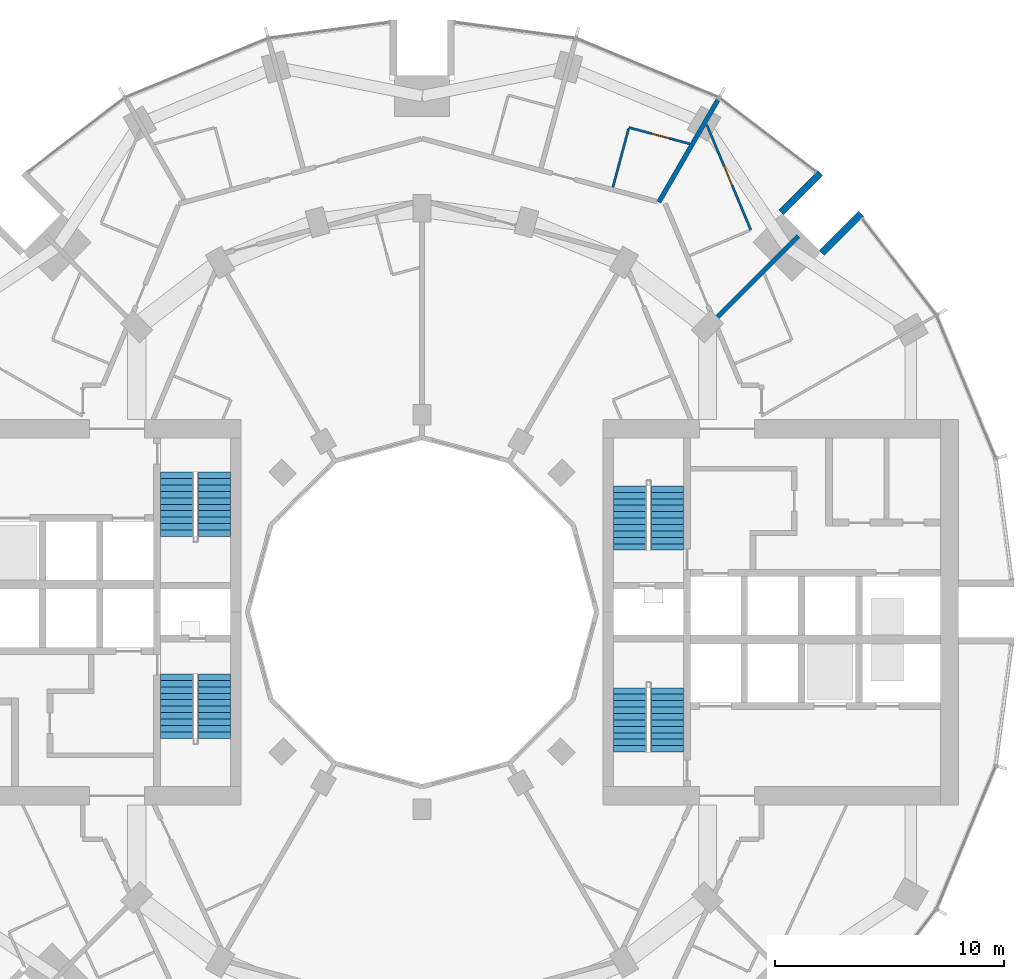
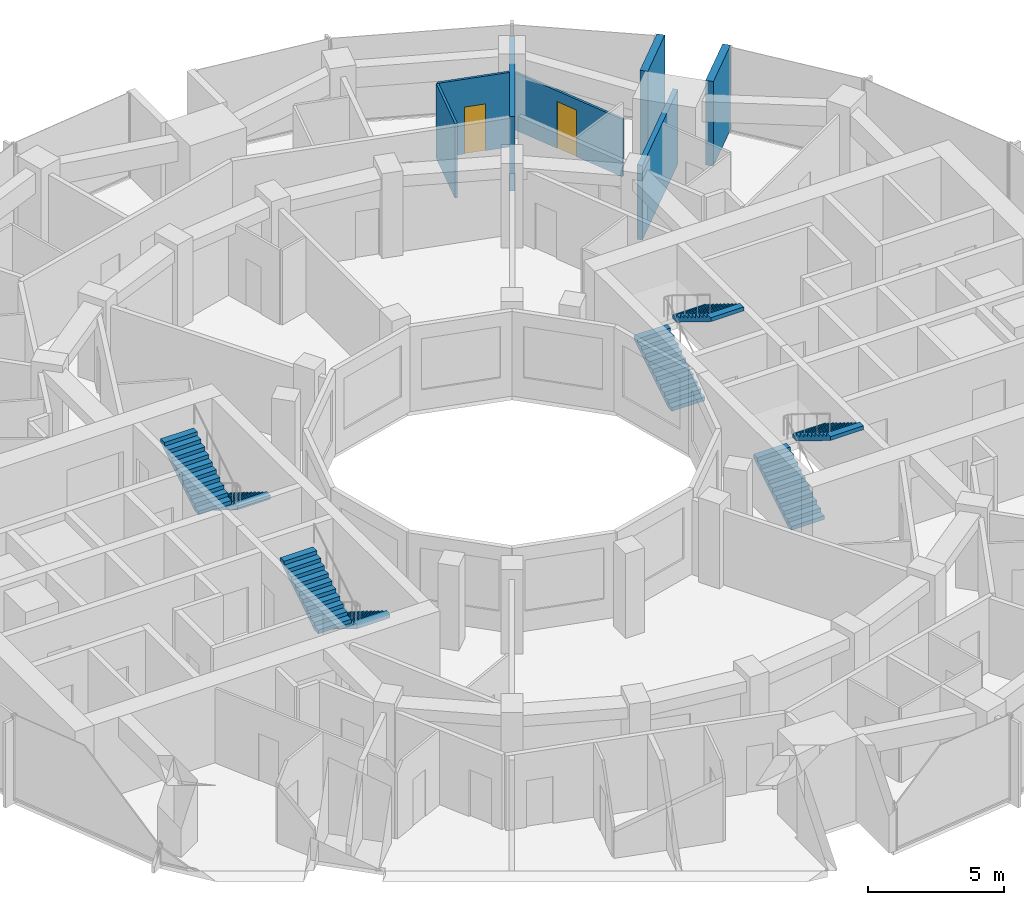
# One storey, part 13 of 15: 8 stair flights, 7 walls, 2 doors, 2 openings, 4 elements without a shape of their own.
"""IFC4 building model written with IfcOpenShell, lengths in metres."""

from ifc_helpers import new_model, si_unit, direction, frame, frame_2d, origin, place, context, subcontext, project, spatial, polyline, rectangle, outline, extrude, material, layer, layer_set, type_object, element, fill, aggregate, save


model = new_model("IFC4")

# Units and contexts
model_context = context("Model", 3, precision=1e-05, world=origin(), true_north=direction((0.0, 1.0)))
body_context = subcontext(model_context, "Body", "Model", "MODEL_VIEW")
ifc_project = project(units=[si_unit("LENGTHUNIT", "METRE"), si_unit("AREAUNIT", "SQUARE_METRE"), si_unit("VOLUMEUNIT", "CUBIC_METRE"), si_unit("PLANEANGLEUNIT", "RADIAN"), si_unit("MASSUNIT", "GRAM", prefix="KILO")], contexts=[model_context])

# Site, building, storey
site_placement = place(None, origin())
site = spatial("IfcSite", under=ifc_project, at=site_placement, CompositionType="ELEMENT")
building_placement = place(site_placement, origin())
building = spatial("IfcBuilding", under=site, at=building_placement, Name="Torre Brocal", CompositionType="ELEMENT")
storey_placement = place(building_placement, frame((0.0, 0.0, 82.39990234375)))
storey = spatial("IfcBuildingStorey", under=building, at=storey_placement, Name="L18", CompositionType="ELEMENT", Elevation=82.39990234375)

# Walls
ifc_material_1 = material(Name="Concrete C80", Category="concrete")
ifc_layer_1 = layer(ifc_material_1, 0.300048828125)
ifc_layer_set_1 = layer_set([ifc_layer_1], Name="Concrete C80")
wall_type_1 = type_object("IfcWallType", Name="NOTCH RETURN WALL 300 C80", PredefinedType="NOTDEFINED", material=ifc_layer_set_1)
for number, where, z_axis, x_axis, name in (
    (1, (97.43017578125, 90.662353515625, 0.0), (0.0, 0.0, 1.0), (0.707106781187, 0.707106781187, 0.0), "NOTCH RETURN WALL"),
    (2, (95.662353515625, 92.43017578125, 0.0), (0.0, 0.0, 1.0), (0.707106781187, 0.707106781187, 0.0), "NOTCH RETURN WALL"),
):
    element("IfcWall", number, at=place(storey_placement, frame(where, z_axis=z_axis, x_axis=x_axis)), inside=storey, type_object=wall_type_1, Name=name, PredefinedType="NOTDEFINED", context=body_context, shape_type="SweptSolid", body=[
        extrude(rectangle(XDim=2.415771484375, YDim=0.300048828125, at=frame_2d((1.2080078125, 0.0))), origin(), (0.0, 0.0, 1.0), 3.800048828125),
    ])
ifc_material_2 = material(Name="Gypsum board", Category="Gypsum")
ifc_layer_2 = layer(ifc_material_2, 0.10009765625)
ifc_layer_set_2 = layer_set([ifc_layer_2], Name="Gypsum board")
wall_type_2 = type_object("IfcWallType", Name="PARTITION 100", PredefinedType="PARTITIONING", material=ifc_layer_set_2)
wall_1_placement = place(storey_placement, frame((88.32080078125, 93.5205078125, 0.0), z_axis=(0.0, 0.0, 1.0), x_axis=(0.258677737588, 0.965963678446, 0.0)))
element("IfcWall", 3, at=wall_1_placement, inside=storey, type_object=wall_type_2, Name="BATHROOM WALL", PredefinedType="PARTITIONING", context=body_context, shape_type="SweptSolid", body=[
    extrude(rectangle(XDim=2.649169921875, YDim=0.10009765625, at=frame_2d((1.32470703125, 0.0))), origin(), (0.0, 0.0, 1.0), 3.35009765625),
])

# Wall, opening, door
wall_2_placement = place(storey_placement, frame((89.018798828125, 96.12744140625, 0.0), z_axis=(0.0, 0.0, 1.0), x_axis=(0.965839030583, -0.259142754101, 0.0)))
wall_2 = element("IfcWall", 4, at=wall_2_placement, inside=storey, type_object=wall_type_2, Name="BATHROOM WALL", PredefinedType="PARTITIONING", context=body_context, shape_type="SweptSolid", body=[
    extrude(rectangle(XDim=2.740478515625, YDim=0.10009765625, at=frame_2d((1.3701171875, 0.0))), origin(), (0.0, 0.0, 1.0), 3.35009765625),
])
opening_1_placement = place(wall_2_placement, frame((1.025634765625, 0.0, 0.0)))
opening_1 = element("IfcOpeningElement", 5, at=opening_1_placement, cuts=wall_2, Name="Opening H05-D07", PredefinedType="OPENING", context=body_context, shape_type="SweptSolid", body=[
    extrude(rectangle(XDim=0.800048828125, YDim=2.10009765625, at=frame_2d((0.39990234375, 1.050048828125))), frame((0.0, 0.06005859375, 0.0), z_axis=(0.0, -1.0, 0.0), x_axis=(1.0, 0.0, 0.0)), (0.0, 0.0, 1.0), 0.1201171875),
])
ifc_material_3 = material(Name="Timber", Category="wood")
door_type_1 = type_object("IfcDoorType", Name="BATHROOM DOOR 800X2100", OperationType="SINGLE_SWING_LEFT", PredefinedType="DOOR", material=ifc_material_3)
door_1_placement = place(opening_1_placement, frame((0.800048828125, 0.0, 0.0), z_axis=(0.0, 0.0, 1.0), x_axis=(-1.0, 0.0, 0.0)))
door_1 = element("IfcDoor", 6, at=door_1_placement, inside=storey, type_object=door_type_1, Name="H05-D07", OperationType="SINGLE_SWING_LEFT", OverallHeight=2.10009765625, OverallWidth=0.800048828125, PredefinedType="DOOR", context=body_context, shape_type="SweptSolid", body=[
    extrude(rectangle(XDim=0.800048828125, YDim=2.10009765625, at=frame_2d((0.39990234375, 1.050048828125))), frame((0.0, 0.02490234375, 0.0), z_axis=(0.0, -1.0, 0.0), x_axis=(1.0, 0.0, 0.0)), (0.0, 0.0, 1.0), 0.050048828125),
])
fill(opening_1, door_1)

ifc_material_4 = material(Name="Gypsum board", Category="Gypsum")
ifc_layer_3 = layer(ifc_material_4, 0.10009765625)
ifc_layer_set_3 = layer_set([ifc_layer_3], Name="Gypsum board")
wall_type_3 = type_object("IfcWallType", Name="PARTITION 100 UNDER BEAM 1220", PredefinedType="PARTITIONING", material=ifc_layer_set_3)
wall_3_placement = place(storey_placement, frame((92.4140625, 96.24609375, 0.0), z_axis=(0.0, 0.0, 1.0), x_axis=(0.386353683992, -0.922350709256, 0.0)))
wall_3 = element("IfcWall", 7, at=wall_3_placement, inside=storey, type_object=wall_type_3, Name="BATHROOM WALL", PredefinedType="PARTITIONING", context=body_context, shape_type="SweptSolid", body=[
    extrude(rectangle(XDim=4.974365234375, YDim=0.10009765625, at=frame_2d((2.4873046875, 0.0))), origin(), (0.0, 0.0, 1.0), 2.580078125),
])
opening_2_placement = place(wall_3_placement, frame((1.95703125, 0.0, 0.0)))
opening_2 = element("IfcOpeningElement", 8, at=opening_2_placement, cuts=wall_3, Name="Opening H05-D05", PredefinedType="OPENING", context=body_context, shape_type="SweptSolid", body=[
    extrude(rectangle(XDim=0.89990234375, YDim=2.10009765625, at=frame_2d((0.449951171875, 1.050048828125))), frame((0.0, 0.06005859375, 0.0), z_axis=(0.0, -1.0, 0.0), x_axis=(1.0, 0.0, 0.0)), (0.0, 0.0, 1.0), 0.1201171875),
])
ifc_material_5 = material(Name="Timber", Category="wood")
door_type_2 = type_object("IfcDoorType", Name="ACCESSIBLE BATHROOM DOOR 900X2100", OperationType="SINGLE_SWING_LEFT", PredefinedType="DOOR", material=ifc_material_5)
door_2_placement = place(opening_2_placement, frame((0.89990234375, 0.0, 0.0), z_axis=(0.0, 0.0, 1.0), x_axis=(-1.0, 0.0, 0.0)))
door_2 = element("IfcDoor", 9, at=door_2_placement, inside=storey, type_object=door_type_2, Name="H05-D05", OperationType="SINGLE_SWING_RIGHT", OverallHeight=2.10009765625, OverallWidth=0.89990234375, PredefinedType="DOOR", context=body_context, shape_type="SweptSolid", body=[
    extrude(rectangle(XDim=0.89990234375, YDim=2.10009765625, at=frame_2d((0.449951171875, 1.050048828125))), frame((0.0, 0.02490234375, 0.0), z_axis=(0.0, -1.0, 0.0), x_axis=(1.0, 0.0, 0.0)), (0.0, 0.0, 1.0), 0.050048828125),
])
fill(opening_2, door_2)

# Walls
ifc_material_6 = material(Name="Gypsum board", Category="Gypsum")
ifc_layer_4 = layer(ifc_material_6, 0.199951171875)
ifc_layer_set_4 = layer_set([ifc_layer_4], Name="Gypsum board")
wall_type_4 = type_object("IfcWallType", Name="PARTITION 200 EI60", PredefinedType="PARTITIONING", material=ifc_layer_set_4)
wall_4_placement = place(storey_placement, frame((90.32666015625, 92.8779296875, 0.0), z_axis=(0.0, 0.0, 1.0), x_axis=(0.50022153717, 0.865897461453, 0.0)))
element("IfcWall", 10, at=wall_4_placement, inside=storey, type_object=wall_type_4, Name="BATHROOM WALL", PredefinedType="PARTITIONING", context=body_context, shape_type="SweptSolid", body=[
    extrude(rectangle(XDim=5.151611328125, YDim=0.199951171875, at=frame_2d((2.57568359375, 0.0))), origin(), (0.0, 0.0, 1.0), 3.35009765625),
])
wall_5_placement = place(storey_placement, frame((92.831787109375, 87.824462890625, 0.0), z_axis=(0.0, 0.0, 1.0), x_axis=(0.707251566381, 0.70696196634, 0.0)))
element("IfcWall", 11, at=wall_5_placement, inside=storey, type_object=wall_type_4, Name="BATHROOM WALL", PredefinedType="PARTITIONING", context=body_context, shape_type="SweptSolid", body=[
    extrude(rectangle(XDim=5.05810546875, YDim=0.199951171875, at=frame_2d((2.529052734375, 0.0))), origin(), (0.0, 0.0, 1.0), 3.35009765625),
])

# Stair, stair flights
ifc_material_7 = material(Name="Concrete C50", Category="concrete")
stair_type = type_object("IfcStairType", Name="EXIT STAIR", PredefinedType="HALF_TURN_STAIR", material=ifc_material_7)
stair_1_placement = place(storey_placement, origin())
stair_1 = element("IfcStair", 12, at=stair_1_placement, inside=storey, type_object=stair_type, Name="EXIT STAIR ST1", PredefinedType="HALF_TURN_STAIR")
ifc_material_8 = material(Name="Concrete C50", Category="concrete")
ifc_layer_5 = layer(ifc_material_8, 0.14990234375)
ifc_layer_set_5 = layer_set([ifc_layer_5], Name="Concrete C50")
stair_flight_type = type_object("IfcStairFlightType", Name="STAIR FLIGHT", PredefinedType="STRAIGHT", material=ifc_layer_set_5)
stair_flight_1_placement = place(storey_placement, frame((89.050048828125, 77.699951171875, 0.0), z_axis=(0.0, 0.0, 1.0), x_axis=(0.0, 1.0, 0.0)))
stair_flight_1 = element("IfcStairFlight", 13, at=stair_flight_1_placement, type_object=stair_flight_type, Name="ST1 flight 1", NumberOfRisers=11, NumberOfTreads=10, PredefinedType="STRAIGHT", RiserHeight=0.172727273, TreadLength=0.28, context=body_context, shape_type="SweptSolid", body=[
    extrude(outline(polyline([(0.0, 0.0), (0.0, 0.172607421875), (0.280029296875, 0.172607421875), (0.280029296875, 0.345458984375), (0.56005859375, 0.345458984375), (0.56005859375, 0.51806640625), (0.840087890625, 0.51806640625), (0.840087890625, 0.69091796875), (1.1201171875, 0.69091796875), (1.1201171875, 0.863525390625), (1.39990234375, 0.863525390625), (1.39990234375, 1.036376953125), (1.679931640625, 1.036376953125), (1.679931640625, 1.208984375), (1.9599609375, 1.208984375), (1.9599609375, 1.3818359375), (2.239990234375, 1.3818359375), (2.239990234375, 1.554443359375), (2.52001953125, 1.554443359375), (2.52001953125, 1.727294921875), (2.800048828125, 1.727294921875), (2.800048828125, 1.89990234375), (2.800048828125, 1.551025390625), (0.285400390625, 0.0), (0.0, 0.0)])), frame((0.0, 0.699951171875, 0.0), z_axis=(0.0, -1.0, 0.0), x_axis=(1.0, 0.0, 0.0)), (0.0, 0.0, 1.0), 1.39990234375),
])
stair_flight_2_placement = place(storey_placement, frame((90.699951171875, 80.5, 1.900146484375), z_axis=(0.0, 0.0, 1.0), x_axis=(0.0, -1.0, 0.0)))
stair_flight_2 = element("IfcStairFlight", 14, at=stair_flight_2_placement, type_object=stair_flight_type, Name="ST1 flight 2", NumberOfRisers=11, NumberOfTreads=10, PredefinedType="STRAIGHT", RiserHeight=0.172727273, TreadLength=0.28, context=body_context, shape_type="SweptSolid", body=[
    extrude(outline(polyline([(0.0, 0.0), (0.0, 0.172607421875), (0.280029296875, 0.172607421875), (0.280029296875, 0.345458984375), (0.56005859375, 0.345458984375), (0.56005859375, 0.51806640625), (0.840087890625, 0.51806640625), (0.840087890625, 0.69091796875), (1.1201171875, 0.69091796875), (1.1201171875, 0.863525390625), (1.39990234375, 0.863525390625), (1.39990234375, 1.036376953125), (1.679931640625, 1.036376953125), (1.679931640625, 1.208984375), (1.9599609375, 1.208984375), (1.9599609375, 1.3818359375), (2.239990234375, 1.3818359375), (2.239990234375, 1.554443359375), (2.52001953125, 1.554443359375), (2.52001953125, 1.727294921875), (2.800048828125, 1.727294921875), (2.800048828125, 1.89990234375), (2.800048828125, 1.551025390625), (0.285400390625, 0.0), (0.0, 0.0)])), frame((0.0, 0.699951171875, 0.0), z_axis=(0.0, -1.0, 0.0), x_axis=(1.0, 0.0, 0.0)), (0.0, 0.0, 1.0), 1.39990234375),
])
aggregate(stair_1, [stair_flight_1, stair_flight_2])

stair_2_placement = place(storey_placement, origin())
stair_2 = element("IfcStair", 15, at=stair_2_placement, inside=storey, type_object=stair_type, Name="EXIT STAIR ST2", PredefinedType="HALF_TURN_STAIR")
stair_flight_3_placement = place(storey_placement, frame((89.050048828125, 68.89990234375, 0.0), z_axis=(0.0, 0.0, 1.0), x_axis=(0.0, 1.0, 0.0)))
stair_flight_3 = element("IfcStairFlight", 16, at=stair_flight_3_placement, type_object=stair_flight_type, Name="ST2 flight 1", NumberOfRisers=11, NumberOfTreads=10, PredefinedType="STRAIGHT", RiserHeight=0.172727273, TreadLength=0.28, context=body_context, shape_type="SweptSolid", body=[
    extrude(outline(polyline([(0.0, 0.0), (0.0, 0.172607421875), (0.280029296875, 0.172607421875), (0.280029296875, 0.345458984375), (0.56005859375, 0.345458984375), (0.56005859375, 0.51806640625), (0.840087890625, 0.51806640625), (0.840087890625, 0.69091796875), (1.1201171875, 0.69091796875), (1.1201171875, 0.863525390625), (1.39990234375, 0.863525390625), (1.39990234375, 1.036376953125), (1.679931640625, 1.036376953125), (1.679931640625, 1.208984375), (1.9599609375, 1.208984375), (1.9599609375, 1.3818359375), (2.239990234375, 1.3818359375), (2.239990234375, 1.554443359375), (2.52001953125, 1.554443359375), (2.52001953125, 1.727294921875), (2.800048828125, 1.727294921875), (2.800048828125, 1.89990234375), (2.800048828125, 1.551025390625), (0.285400390625, 0.0), (0.0, 0.0)])), frame((0.0, 0.699951171875, 0.0), z_axis=(0.0, -1.0, 0.0), x_axis=(1.0, 0.0, 0.0)), (0.0, 0.0, 1.0), 1.39990234375),
])
stair_flight_4_placement = place(storey_placement, frame((90.699951171875, 71.699951171875, 1.900146484375), z_axis=(0.0, 0.0, 1.0), x_axis=(0.0, -1.0, 0.0)))
stair_flight_4 = element("IfcStairFlight", 17, at=stair_flight_4_placement, type_object=stair_flight_type, Name="ST2 flight 2", NumberOfRisers=11, NumberOfTreads=10, PredefinedType="STRAIGHT", RiserHeight=0.172727273, TreadLength=0.28, context=body_context, shape_type="SweptSolid", body=[
    extrude(outline(polyline([(0.0, 0.0), (0.0, 0.172607421875), (0.280029296875, 0.172607421875), (0.280029296875, 0.345458984375), (0.56005859375, 0.345458984375), (0.56005859375, 0.51806640625), (0.840087890625, 0.51806640625), (0.840087890625, 0.69091796875), (1.1201171875, 0.69091796875), (1.1201171875, 0.863525390625), (1.39990234375, 0.863525390625), (1.39990234375, 1.036376953125), (1.679931640625, 1.036376953125), (1.679931640625, 1.208984375), (1.9599609375, 1.208984375), (1.9599609375, 1.3818359375), (2.239990234375, 1.3818359375), (2.239990234375, 1.554443359375), (2.52001953125, 1.554443359375), (2.52001953125, 1.727294921875), (2.800048828125, 1.727294921875), (2.800048828125, 1.89990234375), (2.800048828125, 1.551025390625), (0.285400390625, 0.0), (0.0, 0.0)])), frame((0.0, 0.699951171875, 0.0), z_axis=(0.0, -1.0, 0.0), x_axis=(1.0, 0.0, 0.0)), (0.0, 0.0, 1.0), 1.39990234375),
])
aggregate(stair_2, [stair_flight_3, stair_flight_4])

stair_3_placement = place(storey_placement, origin())
stair_3 = element("IfcStair", 18, at=stair_3_placement, inside=storey, type_object=stair_type, Name="EXIT STAIR ST3", PredefinedType="HALF_TURN_STAIR")
stair_flight_5_placement = place(storey_placement, frame((70.949951171875, 72.300048828125, 0.0), z_axis=(0.0, 0.0, 1.0), x_axis=(0.0, -1.0, 0.0)))
stair_flight_5 = element("IfcStairFlight", 19, at=stair_flight_5_placement, type_object=stair_flight_type, Name="ST3 flight 1", NumberOfRisers=11, NumberOfTreads=10, PredefinedType="STRAIGHT", RiserHeight=0.172727273, TreadLength=0.28, context=body_context, shape_type="SweptSolid", body=[
    extrude(outline(polyline([(0.0, 0.0), (0.0, 0.172607421875), (0.280029296875, 0.172607421875), (0.280029296875, 0.345458984375), (0.56005859375, 0.345458984375), (0.56005859375, 0.51806640625), (0.840087890625, 0.51806640625), (0.840087890625, 0.69091796875), (1.1201171875, 0.69091796875), (1.1201171875, 0.863525390625), (1.39990234375, 0.863525390625), (1.39990234375, 1.036376953125), (1.679931640625, 1.036376953125), (1.679931640625, 1.208984375), (1.9599609375, 1.208984375), (1.9599609375, 1.3818359375), (2.239990234375, 1.3818359375), (2.239990234375, 1.554443359375), (2.52001953125, 1.554443359375), (2.52001953125, 1.727294921875), (2.800048828125, 1.727294921875), (2.800048828125, 1.89990234375), (2.800048828125, 1.551025390625), (0.285400390625, 0.0), (0.0, 0.0)])), frame((0.0, 0.699951171875, 0.0), z_axis=(0.0, -1.0, 0.0), x_axis=(1.0, 0.0, 0.0)), (0.0, 0.0, 1.0), 1.39990234375),
])
stair_flight_6_placement = place(storey_placement, frame((69.300048828125, 69.5, 1.900146484375), z_axis=(0.0, 0.0, 1.0), x_axis=(0.0, 1.0, 0.0)))
stair_flight_6 = element("IfcStairFlight", 20, at=stair_flight_6_placement, type_object=stair_flight_type, Name="ST3 flight 2", NumberOfRisers=11, NumberOfTreads=10, PredefinedType="STRAIGHT", RiserHeight=0.172727273, TreadLength=0.28, context=body_context, shape_type="SweptSolid", body=[
    extrude(outline(polyline([(0.0, 0.0), (0.0, 0.172607421875), (0.280029296875, 0.172607421875), (0.280029296875, 0.345458984375), (0.56005859375, 0.345458984375), (0.56005859375, 0.51806640625), (0.840087890625, 0.51806640625), (0.840087890625, 0.69091796875), (1.1201171875, 0.69091796875), (1.1201171875, 0.863525390625), (1.39990234375, 0.863525390625), (1.39990234375, 1.036376953125), (1.679931640625, 1.036376953125), (1.679931640625, 1.208984375), (1.9599609375, 1.208984375), (1.9599609375, 1.3818359375), (2.239990234375, 1.3818359375), (2.239990234375, 1.554443359375), (2.52001953125, 1.554443359375), (2.52001953125, 1.727294921875), (2.800048828125, 1.727294921875), (2.800048828125, 1.89990234375), (2.800048828125, 1.551025390625), (0.285400390625, 0.0), (0.0, 0.0)])), frame((0.0, 0.699951171875, 0.0), z_axis=(0.0, -1.0, 0.0), x_axis=(1.0, 0.0, 0.0)), (0.0, 0.0, 1.0), 1.39990234375),
])
aggregate(stair_3, [stair_flight_5, stair_flight_6])

stair_4_placement = place(storey_placement, origin())
stair_4 = element("IfcStair", 21, at=stair_4_placement, inside=storey, type_object=stair_type, Name="EXIT STAIR ST4", PredefinedType="HALF_TURN_STAIR")
stair_flight_7_placement = place(storey_placement, frame((70.949951171875, 81.10009765625, 0.0), z_axis=(0.0, 0.0, 1.0), x_axis=(0.0, -1.0, 0.0)))
stair_flight_7 = element("IfcStairFlight", 22, at=stair_flight_7_placement, type_object=stair_flight_type, Name="ST4 flight 1", NumberOfRisers=11, NumberOfTreads=10, PredefinedType="STRAIGHT", RiserHeight=0.172727273, TreadLength=0.28, context=body_context, shape_type="SweptSolid", body=[
    extrude(outline(polyline([(0.0, 0.0), (0.0, 0.172607421875), (0.280029296875, 0.172607421875), (0.280029296875, 0.345458984375), (0.56005859375, 0.345458984375), (0.56005859375, 0.51806640625), (0.840087890625, 0.51806640625), (0.840087890625, 0.69091796875), (1.1201171875, 0.69091796875), (1.1201171875, 0.863525390625), (1.39990234375, 0.863525390625), (1.39990234375, 1.036376953125), (1.679931640625, 1.036376953125), (1.679931640625, 1.208984375), (1.9599609375, 1.208984375), (1.9599609375, 1.3818359375), (2.239990234375, 1.3818359375), (2.239990234375, 1.554443359375), (2.52001953125, 1.554443359375), (2.52001953125, 1.727294921875), (2.800048828125, 1.727294921875), (2.800048828125, 1.89990234375), (2.800048828125, 1.551025390625), (0.285400390625, 0.0), (0.0, 0.0)])), frame((0.0, 0.699951171875, 0.0), z_axis=(0.0, -1.0, 0.0), x_axis=(1.0, 0.0, 0.0)), (0.0, 0.0, 1.0), 1.39990234375),
])
stair_flight_8_placement = place(storey_placement, frame((69.300048828125, 78.300048828125, 1.900146484375), z_axis=(0.0, 0.0, 1.0), x_axis=(0.0, 1.0, 0.0)))
stair_flight_8 = element("IfcStairFlight", 23, at=stair_flight_8_placement, type_object=stair_flight_type, Name="ST4 flight 2", NumberOfRisers=11, NumberOfTreads=10, PredefinedType="STRAIGHT", RiserHeight=0.172727273, TreadLength=0.28, context=body_context, shape_type="SweptSolid", body=[
    extrude(outline(polyline([(0.0, 0.0), (0.0, 0.172607421875), (0.280029296875, 0.172607421875), (0.280029296875, 0.345458984375), (0.56005859375, 0.345458984375), (0.56005859375, 0.51806640625), (0.840087890625, 0.51806640625), (0.840087890625, 0.69091796875), (1.1201171875, 0.69091796875), (1.1201171875, 0.863525390625), (1.39990234375, 0.863525390625), (1.39990234375, 1.036376953125), (1.679931640625, 1.036376953125), (1.679931640625, 1.208984375), (1.9599609375, 1.208984375), (1.9599609375, 1.3818359375), (2.239990234375, 1.3818359375), (2.239990234375, 1.554443359375), (2.52001953125, 1.554443359375), (2.52001953125, 1.727294921875), (2.800048828125, 1.727294921875), (2.800048828125, 1.89990234375), (2.800048828125, 1.551025390625), (0.285400390625, 0.0), (0.0, 0.0)])), frame((0.0, 0.699951171875, 0.0), z_axis=(0.0, -1.0, 0.0), x_axis=(1.0, 0.0, 0.0)), (0.0, 0.0, 1.0), 1.39990234375),
])
aggregate(stair_4, [stair_flight_7, stair_flight_8])

save(model, "model.ifc")
